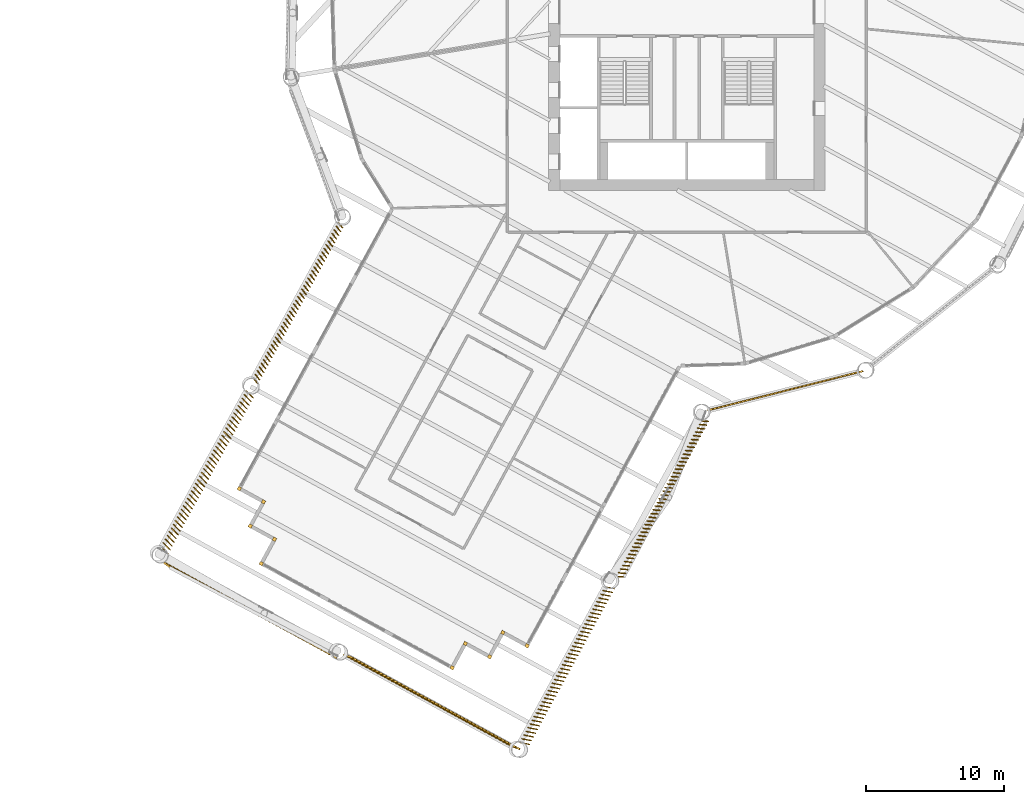
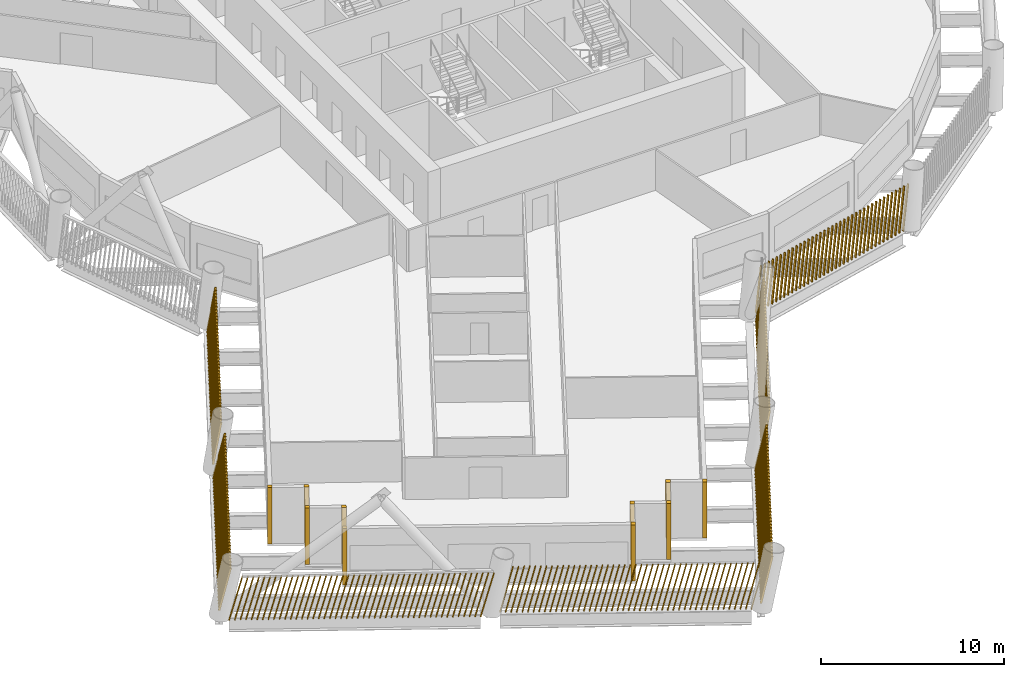
# One storey, part 19 of 24: 17 shading devices.
"""IFC4 building model written with IfcOpenShell, lengths in metres."""

from ifc_helpers import new_model, si_unit, direction, frame, frame_2d, origin, origin_2d, place, context, subcontext, project, spatial, rectangle, composite_profile, extrude, material, type_object, element, save


model = new_model("IFC4")

# Units and contexts
model_context = context("Model", 3, precision=1e-05, world=origin(), true_north=direction((0.0, 1.0)))
body_context = subcontext(model_context, "Body", "Model", "MODEL_VIEW")
ifc_project = project(units=[si_unit("LENGTHUNIT", "METRE"), si_unit("AREAUNIT", "SQUARE_METRE"), si_unit("VOLUMEUNIT", "CUBIC_METRE"), si_unit("PLANEANGLEUNIT", "RADIAN"), si_unit("MASSUNIT", "GRAM", prefix="KILO")], contexts=[model_context])

# Site, building, storey
site_placement = place(None, origin())
site = spatial("IfcSite", under=ifc_project, at=site_placement, CompositionType="ELEMENT")
building_placement = place(site_placement, origin())
building = spatial("IfcBuilding", under=site, at=building_placement, Name="Tarsis Ring Headquarters", CompositionType="ELEMENT")
storey_placement = place(building_placement, frame((0.0, 0.0, 92.800048828125)))
storey = spatial("IfcBuildingStorey", under=building, at=storey_placement, Name="L20", CompositionType="ELEMENT", Elevation=92.800048828125)

# Shading devices
ifc_material = material(Name="Terracotta baguette", Category="masonry")
shading_device_type_1 = type_object("IfcShadingDeviceType", Name="Terracotta baguette screen", PredefinedType="USERDEFINED", material=ifc_material)
shading_device_1_placement = place(storey_placement, frame((-25.209228515625, -15.282470703125, 0.0), z_axis=(0.0, 0.0, 1.0), x_axis=(-0.479308191572, -0.877646791682, 0.0)))
element("IfcShadingDevice", 1, at=shading_device_1_placement, inside=storey, type_object=shading_device_type_1, Name="Baguette screen L20-01", ObjectType="Terracotta baguette screen", PredefinedType="USERDEFINED", context=body_context, shape_type="SweptSolid", body=[
    extrude(composite_profile([rectangle(XDim=0.06005859375, YDim=0.1201171875, at=frame_2d((0.030029296875, 0.0))), rectangle(XDim=0.06005859375, YDim=0.1201171875, at=frame_2d((0.335693359375, 0.0))), rectangle(XDim=0.06005859375, YDim=0.1201171875, at=frame_2d((0.6416015625, 0.0))), rectangle(XDim=0.06005859375, YDim=0.1201171875, at=frame_2d((0.947265625, 0.0))), rectangle(XDim=0.06005859375, YDim=0.1201171875, at=frame_2d((1.253173828125, 0.0))), rectangle(XDim=0.06005859375, YDim=0.1201171875, at=frame_2d((1.558837890625, 0.0))), rectangle(XDim=0.06005859375, YDim=0.1201171875, at=frame_2d((1.864501953125, 0.0))), rectangle(XDim=0.06005859375, YDim=0.1201171875, at=frame_2d((2.17041015625, 0.0))), rectangle(XDim=0.06005859375, YDim=0.1201171875, at=frame_2d((2.47607421875, 0.0))), rectangle(XDim=0.06005859375, YDim=0.1201171875, at=frame_2d((2.781982421875, 0.0))), rectangle(XDim=0.06005859375, YDim=0.1201171875, at=frame_2d((3.087646484375, 0.0))), rectangle(XDim=0.06005859375, YDim=0.1201171875, at=frame_2d((3.393310546875, 0.0))), rectangle(XDim=0.06005859375, YDim=0.1201171875, at=frame_2d((3.69921875, 0.0))), rectangle(XDim=0.06005859375, YDim=0.1201171875, at=frame_2d((4.0048828125, 0.0))), rectangle(XDim=0.06005859375, YDim=0.1201171875, at=frame_2d((4.310791015625, 0.0))), rectangle(XDim=0.06005859375, YDim=0.1201171875, at=frame_2d((4.616455078125, 0.0))), rectangle(XDim=0.06005859375, YDim=0.1201171875, at=frame_2d((4.922119140625, 0.0))), rectangle(XDim=0.06005859375, YDim=0.1201171875, at=frame_2d((5.22802734375, 0.0))), rectangle(XDim=0.06005859375, YDim=0.1201171875, at=frame_2d((5.53369140625, 0.0))), rectangle(XDim=0.06005859375, YDim=0.1201171875, at=frame_2d((5.839599609375, 0.0))), rectangle(XDim=0.06005859375, YDim=0.1201171875, at=frame_2d((6.145263671875, 0.0))), rectangle(XDim=0.06005859375, YDim=0.1201171875, at=frame_2d((6.451171875, 0.0))), rectangle(XDim=0.06005859375, YDim=0.1201171875, at=frame_2d((6.7568359375, 0.0))), rectangle(XDim=0.06005859375, YDim=0.1201171875, at=frame_2d((7.0625, 0.0))), rectangle(XDim=0.06005859375, YDim=0.1201171875, at=frame_2d((7.368408203125, 0.0))), rectangle(XDim=0.06005859375, YDim=0.1201171875, at=frame_2d((7.674072265625, 0.0))), rectangle(XDim=0.06005859375, YDim=0.1201171875, at=frame_2d((7.97998046875, 0.0))), rectangle(XDim=0.06005859375, YDim=0.1201171875, at=frame_2d((8.28564453125, 0.0))), rectangle(XDim=0.06005859375, YDim=0.1201171875, at=frame_2d((8.59130859375, 0.0))), rectangle(XDim=0.06005859375, YDim=0.1201171875, at=frame_2d((8.897216796875, 0.0))), rectangle(XDim=0.06005859375, YDim=0.1201171875, at=frame_2d((9.202880859375, 0.0))), rectangle(XDim=0.06005859375, YDim=0.1201171875, at=frame_2d((9.5087890625, 0.0))), rectangle(XDim=0.06005859375, YDim=0.1201171875, at=frame_2d((9.814453125, 0.0))), rectangle(XDim=0.06005859375, YDim=0.1201171875, at=frame_2d((10.1201171875, 0.0))), rectangle(XDim=0.06005859375, YDim=0.1201171875, at=frame_2d((10.426025390625, 0.0))), rectangle(XDim=0.06005859375, YDim=0.1201171875, at=frame_2d((10.731689453125, 0.0))), rectangle(XDim=0.06005859375, YDim=0.1201171875, at=frame_2d((11.03759765625, 0.0))), rectangle(XDim=0.06005859375, YDim=0.1201171875, at=frame_2d((11.34326171875, 0.0))), rectangle(XDim=0.06005859375, YDim=0.1201171875, at=frame_2d((11.64892578125, 0.0))), rectangle(XDim=0.06005859375, YDim=0.1201171875, at=frame_2d((11.954833984375, 0.0))), rectangle(XDim=0.06005859375, YDim=0.1201171875, at=frame_2d((12.260498046875, 0.0))), rectangle(XDim=0.06005859375, YDim=0.1201171875, at=frame_2d((12.56640625, 0.0))), rectangle(XDim=0.06005859375, YDim=0.1201171875, at=frame_2d((12.8720703125, 0.0)))]), origin(), (0.066363469717, 0.145846002053, 0.987078939889), 2.9912109375),
])
shading_device_2_placement = place(storey_placement, frame((-31.872802734375, -27.483642578125, 0.0), z_axis=(0.0, 0.0, 1.0), x_axis=(-0.47929912201, -0.877649106873, 0.0)))
element("IfcShadingDevice", 2, at=shading_device_2_placement, inside=storey, type_object=shading_device_type_1, Name="Baguette screen L20-02", ObjectType="Terracotta baguette screen", PredefinedType="USERDEFINED", context=body_context, shape_type="SweptSolid", body=[
    extrude(composite_profile([rectangle(XDim=0.06005859375, YDim=0.1201171875, at=frame_2d((0.030029296875, 0.0))), rectangle(XDim=0.06005859375, YDim=0.1201171875, at=frame_2d((0.335693359375, 0.0))), rectangle(XDim=0.06005859375, YDim=0.1201171875, at=frame_2d((0.6416015625, 0.0))), rectangle(XDim=0.06005859375, YDim=0.1201171875, at=frame_2d((0.947265625, 0.0))), rectangle(XDim=0.06005859375, YDim=0.1201171875, at=frame_2d((1.253173828125, 0.0))), rectangle(XDim=0.06005859375, YDim=0.1201171875, at=frame_2d((1.558837890625, 0.0))), rectangle(XDim=0.06005859375, YDim=0.1201171875, at=frame_2d((1.864501953125, 0.0))), rectangle(XDim=0.06005859375, YDim=0.1201171875, at=frame_2d((2.17041015625, 0.0))), rectangle(XDim=0.06005859375, YDim=0.1201171875, at=frame_2d((2.47607421875, 0.0))), rectangle(XDim=0.06005859375, YDim=0.1201171875, at=frame_2d((2.781982421875, 0.0))), rectangle(XDim=0.06005859375, YDim=0.1201171875, at=frame_2d((3.087646484375, 0.0))), rectangle(XDim=0.06005859375, YDim=0.1201171875, at=frame_2d((3.393310546875, 0.0))), rectangle(XDim=0.06005859375, YDim=0.1201171875, at=frame_2d((3.69921875, 0.0))), rectangle(XDim=0.06005859375, YDim=0.1201171875, at=frame_2d((4.0048828125, 0.0))), rectangle(XDim=0.06005859375, YDim=0.1201171875, at=frame_2d((4.310791015625, 0.0))), rectangle(XDim=0.06005859375, YDim=0.1201171875, at=frame_2d((4.616455078125, 0.0))), rectangle(XDim=0.06005859375, YDim=0.1201171875, at=frame_2d((4.922119140625, 0.0))), rectangle(XDim=0.06005859375, YDim=0.1201171875, at=frame_2d((5.22802734375, 0.0))), rectangle(XDim=0.06005859375, YDim=0.1201171875, at=frame_2d((5.53369140625, 0.0))), rectangle(XDim=0.06005859375, YDim=0.1201171875, at=frame_2d((5.839599609375, 0.0))), rectangle(XDim=0.06005859375, YDim=0.1201171875, at=frame_2d((6.145263671875, 0.0))), rectangle(XDim=0.06005859375, YDim=0.1201171875, at=frame_2d((6.451171875, 0.0))), rectangle(XDim=0.06005859375, YDim=0.1201171875, at=frame_2d((6.7568359375, 0.0))), rectangle(XDim=0.06005859375, YDim=0.1201171875, at=frame_2d((7.0625, 0.0))), rectangle(XDim=0.06005859375, YDim=0.1201171875, at=frame_2d((7.368408203125, 0.0))), rectangle(XDim=0.06005859375, YDim=0.1201171875, at=frame_2d((7.674072265625, 0.0))), rectangle(XDim=0.06005859375, YDim=0.1201171875, at=frame_2d((7.97998046875, 0.0))), rectangle(XDim=0.06005859375, YDim=0.1201171875, at=frame_2d((8.28564453125, 0.0))), rectangle(XDim=0.06005859375, YDim=0.1201171875, at=frame_2d((8.59130859375, 0.0))), rectangle(XDim=0.06005859375, YDim=0.1201171875, at=frame_2d((8.897216796875, 0.0))), rectangle(XDim=0.06005859375, YDim=0.1201171875, at=frame_2d((9.202880859375, 0.0))), rectangle(XDim=0.06005859375, YDim=0.1201171875, at=frame_2d((9.5087890625, 0.0))), rectangle(XDim=0.06005859375, YDim=0.1201171875, at=frame_2d((9.814453125, 0.0))), rectangle(XDim=0.06005859375, YDim=0.1201171875, at=frame_2d((10.1201171875, 0.0))), rectangle(XDim=0.06005859375, YDim=0.1201171875, at=frame_2d((10.426025390625, 0.0))), rectangle(XDim=0.06005859375, YDim=0.1201171875, at=frame_2d((10.731689453125, 0.0))), rectangle(XDim=0.06005859375, YDim=0.1201171875, at=frame_2d((11.03759765625, 0.0))), rectangle(XDim=0.06005859375, YDim=0.1201171875, at=frame_2d((11.34326171875, 0.0))), rectangle(XDim=0.06005859375, YDim=0.1201171875, at=frame_2d((11.64892578125, 0.0))), rectangle(XDim=0.06005859375, YDim=0.1201171875, at=frame_2d((11.954833984375, 0.0))), rectangle(XDim=0.06005859375, YDim=0.1201171875, at=frame_2d((12.260498046875, 0.0))), rectangle(XDim=0.06005859375, YDim=0.1201171875, at=frame_2d((12.56640625, 0.0))), rectangle(XDim=0.06005859375, YDim=0.1201171875, at=frame_2d((12.8720703125, 0.0)))]), origin(), (0.065208237741, 0.206809612953, 0.976205751735), 3.024658203125),
])
shading_device_3_placement = place(storey_placement, frame((-38.037353515625, -39.81494140625, 0.0), z_axis=(0.0, 0.0, 1.0), x_axis=(0.877647058824, -0.479292348518, 0.0)))
element("IfcShadingDevice", 3, at=shading_device_3_placement, inside=storey, type_object=shading_device_type_1, Name="Baguette screen L20-03", ObjectType="Terracotta baguette screen", PredefinedType="USERDEFINED", context=body_context, shape_type="SweptSolid", body=[
    extrude(composite_profile([rectangle(XDim=0.06005859375, YDim=0.1201171875, at=frame_2d((0.030029296875, 0.0))), rectangle(XDim=0.06005859375, YDim=0.1201171875, at=frame_2d((0.33544921875, 0.0))), rectangle(XDim=0.06005859375, YDim=0.1201171875, at=frame_2d((0.640625, 0.0))), rectangle(XDim=0.06005859375, YDim=0.1201171875, at=frame_2d((0.946044921875, 0.0))), rectangle(XDim=0.06005859375, YDim=0.1201171875, at=frame_2d((1.25146484375, 0.0))), rectangle(XDim=0.06005859375, YDim=0.1201171875, at=frame_2d((1.556640625, 0.0))), rectangle(XDim=0.06005859375, YDim=0.1201171875, at=frame_2d((1.862060546875, 0.0))), rectangle(XDim=0.06005859375, YDim=0.1201171875, at=frame_2d((2.16748046875, 0.0))), rectangle(XDim=0.06005859375, YDim=0.1201171875, at=frame_2d((2.47265625, 0.0))), rectangle(XDim=0.06005859375, YDim=0.1201171875, at=frame_2d((2.778076171875, 0.0))), rectangle(XDim=0.06005859375, YDim=0.1201171875, at=frame_2d((3.08349609375, 0.0))), rectangle(XDim=0.06005859375, YDim=0.1201171875, at=frame_2d((3.388671875, 0.0))), rectangle(XDim=0.06005859375, YDim=0.1201171875, at=frame_2d((3.694091796875, 0.0))), rectangle(XDim=0.06005859375, YDim=0.1201171875, at=frame_2d((3.99951171875, 0.0))), rectangle(XDim=0.06005859375, YDim=0.1201171875, at=frame_2d((4.3046875, 0.0))), rectangle(XDim=0.06005859375, YDim=0.1201171875, at=frame_2d((4.610107421875, 0.0))), rectangle(XDim=0.06005859375, YDim=0.1201171875, at=frame_2d((4.91552734375, 0.0))), rectangle(XDim=0.06005859375, YDim=0.1201171875, at=frame_2d((5.220703125, 0.0))), rectangle(XDim=0.06005859375, YDim=0.1201171875, at=frame_2d((5.526123046875, 0.0))), rectangle(XDim=0.06005859375, YDim=0.1201171875, at=frame_2d((5.83154296875, 0.0))), rectangle(XDim=0.06005859375, YDim=0.1201171875, at=frame_2d((6.13671875, 0.0))), rectangle(XDim=0.06005859375, YDim=0.1201171875, at=frame_2d((6.442138671875, 0.0))), rectangle(XDim=0.06005859375, YDim=0.1201171875, at=frame_2d((6.74755859375, 0.0))), rectangle(XDim=0.06005859375, YDim=0.1201171875, at=frame_2d((7.052734375, 0.0))), rectangle(XDim=0.06005859375, YDim=0.1201171875, at=frame_2d((7.358154296875, 0.0))), rectangle(XDim=0.06005859375, YDim=0.1201171875, at=frame_2d((7.66357421875, 0.0))), rectangle(XDim=0.06005859375, YDim=0.1201171875, at=frame_2d((7.96875, 0.0))), rectangle(XDim=0.06005859375, YDim=0.1201171875, at=frame_2d((8.274169921875, 0.0))), rectangle(XDim=0.06005859375, YDim=0.1201171875, at=frame_2d((8.57958984375, 0.0))), rectangle(XDim=0.06005859375, YDim=0.1201171875, at=frame_2d((8.884765625, 0.0))), rectangle(XDim=0.06005859375, YDim=0.1201171875, at=frame_2d((9.190185546875, 0.0))), rectangle(XDim=0.06005859375, YDim=0.1201171875, at=frame_2d((9.49560546875, 0.0))), rectangle(XDim=0.06005859375, YDim=0.1201171875, at=frame_2d((9.80078125, 0.0))), rectangle(XDim=0.06005859375, YDim=0.1201171875, at=frame_2d((10.106201171875, 0.0))), rectangle(XDim=0.06005859375, YDim=0.1201171875, at=frame_2d((10.41162109375, 0.0))), rectangle(XDim=0.06005859375, YDim=0.1201171875, at=frame_2d((10.716796875, 0.0))), rectangle(XDim=0.06005859375, YDim=0.1201171875, at=frame_2d((11.022216796875, 0.0))), rectangle(XDim=0.06005859375, YDim=0.1201171875, at=frame_2d((11.32763671875, 0.0))), rectangle(XDim=0.06005859375, YDim=0.1201171875, at=frame_2d((11.6328125, 0.0))), rectangle(XDim=0.06005859375, YDim=0.1201171875, at=frame_2d((11.938232421875, 0.0))), rectangle(XDim=0.06005859375, YDim=0.1201171875, at=frame_2d((12.24365234375, 0.0))), rectangle(XDim=0.06005859375, YDim=0.1201171875, at=frame_2d((12.548828125, 0.0))), rectangle(XDim=0.06005859375, YDim=0.1201171875, at=frame_2d((12.854248046875, 0.0))), rectangle(XDim=0.06005859375, YDim=0.1201171875, at=frame_2d((13.15966796875, 0.0))), rectangle(XDim=0.06005859375, YDim=0.1201171875, at=frame_2d((13.46484375, 0.0))), rectangle(XDim=0.06005859375, YDim=0.1201171875, at=frame_2d((13.770263671875, 0.0)))]), origin(), (0.238204694282, -0.03150058275, 0.970703990364), 3.041748046875),
])
shading_device_4_placement = place(storey_placement, frame((-24.868408203125, -46.57958984375, 0.0), z_axis=(0.0, 0.0, 1.0), x_axis=(0.877647058824, -0.479292348518, 0.0)))
element("IfcShadingDevice", 4, at=shading_device_4_placement, inside=storey, type_object=shading_device_type_1, Name="Baguette screen L20-04", ObjectType="Terracotta baguette screen", PredefinedType="USERDEFINED", context=body_context, shape_type="SweptSolid", body=[
    extrude(composite_profile([rectangle(XDim=0.06005859375, YDim=0.1201171875, at=frame_2d((0.030029296875, 0.0))), rectangle(XDim=0.06005859375, YDim=0.1201171875, at=frame_2d((0.33544921875, 0.0))), rectangle(XDim=0.06005859375, YDim=0.1201171875, at=frame_2d((0.640625, 0.0))), rectangle(XDim=0.06005859375, YDim=0.1201171875, at=frame_2d((0.946044921875, 0.0))), rectangle(XDim=0.06005859375, YDim=0.1201171875, at=frame_2d((1.25146484375, 0.0))), rectangle(XDim=0.06005859375, YDim=0.1201171875, at=frame_2d((1.556640625, 0.0))), rectangle(XDim=0.06005859375, YDim=0.1201171875, at=frame_2d((1.862060546875, 0.0))), rectangle(XDim=0.06005859375, YDim=0.1201171875, at=frame_2d((2.16748046875, 0.0))), rectangle(XDim=0.06005859375, YDim=0.1201171875, at=frame_2d((2.47265625, 0.0))), rectangle(XDim=0.06005859375, YDim=0.1201171875, at=frame_2d((2.778076171875, 0.0))), rectangle(XDim=0.06005859375, YDim=0.1201171875, at=frame_2d((3.08349609375, 0.0))), rectangle(XDim=0.06005859375, YDim=0.1201171875, at=frame_2d((3.388671875, 0.0))), rectangle(XDim=0.06005859375, YDim=0.1201171875, at=frame_2d((3.694091796875, 0.0))), rectangle(XDim=0.06005859375, YDim=0.1201171875, at=frame_2d((3.99951171875, 0.0))), rectangle(XDim=0.06005859375, YDim=0.1201171875, at=frame_2d((4.3046875, 0.0))), rectangle(XDim=0.06005859375, YDim=0.1201171875, at=frame_2d((4.610107421875, 0.0))), rectangle(XDim=0.06005859375, YDim=0.1201171875, at=frame_2d((4.91552734375, 0.0))), rectangle(XDim=0.06005859375, YDim=0.1201171875, at=frame_2d((5.220703125, 0.0))), rectangle(XDim=0.06005859375, YDim=0.1201171875, at=frame_2d((5.526123046875, 0.0))), rectangle(XDim=0.06005859375, YDim=0.1201171875, at=frame_2d((5.83154296875, 0.0))), rectangle(XDim=0.06005859375, YDim=0.1201171875, at=frame_2d((6.13671875, 0.0))), rectangle(XDim=0.06005859375, YDim=0.1201171875, at=frame_2d((6.442138671875, 0.0))), rectangle(XDim=0.06005859375, YDim=0.1201171875, at=frame_2d((6.74755859375, 0.0))), rectangle(XDim=0.06005859375, YDim=0.1201171875, at=frame_2d((7.052734375, 0.0))), rectangle(XDim=0.06005859375, YDim=0.1201171875, at=frame_2d((7.358154296875, 0.0))), rectangle(XDim=0.06005859375, YDim=0.1201171875, at=frame_2d((7.66357421875, 0.0))), rectangle(XDim=0.06005859375, YDim=0.1201171875, at=frame_2d((7.96875, 0.0))), rectangle(XDim=0.06005859375, YDim=0.1201171875, at=frame_2d((8.274169921875, 0.0))), rectangle(XDim=0.06005859375, YDim=0.1201171875, at=frame_2d((8.57958984375, 0.0))), rectangle(XDim=0.06005859375, YDim=0.1201171875, at=frame_2d((8.884765625, 0.0))), rectangle(XDim=0.06005859375, YDim=0.1201171875, at=frame_2d((9.190185546875, 0.0))), rectangle(XDim=0.06005859375, YDim=0.1201171875, at=frame_2d((9.49560546875, 0.0))), rectangle(XDim=0.06005859375, YDim=0.1201171875, at=frame_2d((9.80078125, 0.0))), rectangle(XDim=0.06005859375, YDim=0.1201171875, at=frame_2d((10.106201171875, 0.0))), rectangle(XDim=0.06005859375, YDim=0.1201171875, at=frame_2d((10.41162109375, 0.0))), rectangle(XDim=0.06005859375, YDim=0.1201171875, at=frame_2d((10.716796875, 0.0))), rectangle(XDim=0.06005859375, YDim=0.1201171875, at=frame_2d((11.022216796875, 0.0))), rectangle(XDim=0.06005859375, YDim=0.1201171875, at=frame_2d((11.32763671875, 0.0))), rectangle(XDim=0.06005859375, YDim=0.1201171875, at=frame_2d((11.6328125, 0.0))), rectangle(XDim=0.06005859375, YDim=0.1201171875, at=frame_2d((11.938232421875, 0.0))), rectangle(XDim=0.06005859375, YDim=0.1201171875, at=frame_2d((12.24365234375, 0.0))), rectangle(XDim=0.06005859375, YDim=0.1201171875, at=frame_2d((12.548828125, 0.0))), rectangle(XDim=0.06005859375, YDim=0.1201171875, at=frame_2d((12.854248046875, 0.0))), rectangle(XDim=0.06005859375, YDim=0.1201171875, at=frame_2d((13.15966796875, 0.0))), rectangle(XDim=0.06005859375, YDim=0.1201171875, at=frame_2d((13.46484375, 0.0))), rectangle(XDim=0.06005859375, YDim=0.1201171875, at=frame_2d((13.770263671875, 0.0)))]), origin(), (0.236170295331, 0.034737648495, 0.971090566003), 3.04052734375),
])
shading_device_5_placement = place(storey_placement, frame((-12.078369140625, -52.99462890625, 0.0), z_axis=(0.0, 0.0, 1.0), x_axis=(0.479308191572, 0.877646791682, 0.0)))
element("IfcShadingDevice", 5, at=shading_device_5_placement, inside=storey, type_object=shading_device_type_1, Name="Baguette screen L20-05", ObjectType="Terracotta baguette screen", PredefinedType="USERDEFINED", context=body_context, shape_type="SweptSolid", body=[
    extrude(composite_profile([rectangle(XDim=0.06005859375, YDim=0.1201171875, at=frame_2d((0.030029296875, 0.0))), rectangle(XDim=0.06005859375, YDim=0.1201171875, at=frame_2d((0.335693359375, 0.0))), rectangle(XDim=0.06005859375, YDim=0.1201171875, at=frame_2d((0.6416015625, 0.0))), rectangle(XDim=0.06005859375, YDim=0.1201171875, at=frame_2d((0.947265625, 0.0))), rectangle(XDim=0.06005859375, YDim=0.1201171875, at=frame_2d((1.253173828125, 0.0))), rectangle(XDim=0.06005859375, YDim=0.1201171875, at=frame_2d((1.558837890625, 0.0))), rectangle(XDim=0.06005859375, YDim=0.1201171875, at=frame_2d((1.864501953125, 0.0))), rectangle(XDim=0.06005859375, YDim=0.1201171875, at=frame_2d((2.17041015625, 0.0))), rectangle(XDim=0.06005859375, YDim=0.1201171875, at=frame_2d((2.47607421875, 0.0))), rectangle(XDim=0.06005859375, YDim=0.1201171875, at=frame_2d((2.781982421875, 0.0))), rectangle(XDim=0.06005859375, YDim=0.1201171875, at=frame_2d((3.087646484375, 0.0))), rectangle(XDim=0.06005859375, YDim=0.1201171875, at=frame_2d((3.393310546875, 0.0))), rectangle(XDim=0.06005859375, YDim=0.1201171875, at=frame_2d((3.69921875, 0.0))), rectangle(XDim=0.06005859375, YDim=0.1201171875, at=frame_2d((4.0048828125, 0.0))), rectangle(XDim=0.06005859375, YDim=0.1201171875, at=frame_2d((4.310791015625, 0.0))), rectangle(XDim=0.06005859375, YDim=0.1201171875, at=frame_2d((4.616455078125, 0.0))), rectangle(XDim=0.06005859375, YDim=0.1201171875, at=frame_2d((4.922119140625, 0.0))), rectangle(XDim=0.06005859375, YDim=0.1201171875, at=frame_2d((5.22802734375, 0.0))), rectangle(XDim=0.06005859375, YDim=0.1201171875, at=frame_2d((5.53369140625, 0.0))), rectangle(XDim=0.06005859375, YDim=0.1201171875, at=frame_2d((5.839599609375, 0.0))), rectangle(XDim=0.06005859375, YDim=0.1201171875, at=frame_2d((6.145263671875, 0.0))), rectangle(XDim=0.06005859375, YDim=0.1201171875, at=frame_2d((6.451171875, 0.0))), rectangle(XDim=0.06005859375, YDim=0.1201171875, at=frame_2d((6.7568359375, 0.0))), rectangle(XDim=0.06005859375, YDim=0.1201171875, at=frame_2d((7.0625, 0.0))), rectangle(XDim=0.06005859375, YDim=0.1201171875, at=frame_2d((7.368408203125, 0.0))), rectangle(XDim=0.06005859375, YDim=0.1201171875, at=frame_2d((7.674072265625, 0.0))), rectangle(XDim=0.06005859375, YDim=0.1201171875, at=frame_2d((7.97998046875, 0.0))), rectangle(XDim=0.06005859375, YDim=0.1201171875, at=frame_2d((8.28564453125, 0.0))), rectangle(XDim=0.06005859375, YDim=0.1201171875, at=frame_2d((8.59130859375, 0.0))), rectangle(XDim=0.06005859375, YDim=0.1201171875, at=frame_2d((8.897216796875, 0.0))), rectangle(XDim=0.06005859375, YDim=0.1201171875, at=frame_2d((9.202880859375, 0.0))), rectangle(XDim=0.06005859375, YDim=0.1201171875, at=frame_2d((9.5087890625, 0.0))), rectangle(XDim=0.06005859375, YDim=0.1201171875, at=frame_2d((9.814453125, 0.0))), rectangle(XDim=0.06005859375, YDim=0.1201171875, at=frame_2d((10.1201171875, 0.0))), rectangle(XDim=0.06005859375, YDim=0.1201171875, at=frame_2d((10.426025390625, 0.0))), rectangle(XDim=0.06005859375, YDim=0.1201171875, at=frame_2d((10.731689453125, 0.0))), rectangle(XDim=0.06005859375, YDim=0.1201171875, at=frame_2d((11.03759765625, 0.0))), rectangle(XDim=0.06005859375, YDim=0.1201171875, at=frame_2d((11.34326171875, 0.0))), rectangle(XDim=0.06005859375, YDim=0.1201171875, at=frame_2d((11.64892578125, 0.0))), rectangle(XDim=0.06005859375, YDim=0.1201171875, at=frame_2d((11.954833984375, 0.0))), rectangle(XDim=0.06005859375, YDim=0.1201171875, at=frame_2d((12.260498046875, 0.0))), rectangle(XDim=0.06005859375, YDim=0.1201171875, at=frame_2d((12.56640625, 0.0))), rectangle(XDim=0.06005859375, YDim=0.1201171875, at=frame_2d((12.8720703125, 0.0)))]), origin(), (0.06801737115, -0.205903158635, 0.976205678372), 3.024658203125),
])
shading_device_6_placement = place(storey_placement, frame((-5.0859375, -40.97314453125, 0.0), z_axis=(0.0, 0.0, 1.0), x_axis=(0.479308191572, 0.877646791682, 0.0)))
element("IfcShadingDevice", 6, at=shading_device_6_placement, inside=storey, type_object=shading_device_type_1, Name="Baguette screen L20-06", ObjectType="Terracotta baguette screen", PredefinedType="USERDEFINED", context=body_context, shape_type="SweptSolid", body=[
    extrude(composite_profile([rectangle(XDim=0.06005859375, YDim=0.1201171875, at=frame_2d((0.030029296875, 0.0))), rectangle(XDim=0.06005859375, YDim=0.1201171875, at=frame_2d((0.335693359375, 0.0))), rectangle(XDim=0.06005859375, YDim=0.1201171875, at=frame_2d((0.6416015625, 0.0))), rectangle(XDim=0.06005859375, YDim=0.1201171875, at=frame_2d((0.947265625, 0.0))), rectangle(XDim=0.06005859375, YDim=0.1201171875, at=frame_2d((1.253173828125, 0.0))), rectangle(XDim=0.06005859375, YDim=0.1201171875, at=frame_2d((1.558837890625, 0.0))), rectangle(XDim=0.06005859375, YDim=0.1201171875, at=frame_2d((1.864501953125, 0.0))), rectangle(XDim=0.06005859375, YDim=0.1201171875, at=frame_2d((2.17041015625, 0.0))), rectangle(XDim=0.06005859375, YDim=0.1201171875, at=frame_2d((2.47607421875, 0.0))), rectangle(XDim=0.06005859375, YDim=0.1201171875, at=frame_2d((2.781982421875, 0.0))), rectangle(XDim=0.06005859375, YDim=0.1201171875, at=frame_2d((3.087646484375, 0.0))), rectangle(XDim=0.06005859375, YDim=0.1201171875, at=frame_2d((3.393310546875, 0.0))), rectangle(XDim=0.06005859375, YDim=0.1201171875, at=frame_2d((3.69921875, 0.0))), rectangle(XDim=0.06005859375, YDim=0.1201171875, at=frame_2d((4.0048828125, 0.0))), rectangle(XDim=0.06005859375, YDim=0.1201171875, at=frame_2d((4.310791015625, 0.0))), rectangle(XDim=0.06005859375, YDim=0.1201171875, at=frame_2d((4.616455078125, 0.0))), rectangle(XDim=0.06005859375, YDim=0.1201171875, at=frame_2d((4.922119140625, 0.0))), rectangle(XDim=0.06005859375, YDim=0.1201171875, at=frame_2d((5.22802734375, 0.0))), rectangle(XDim=0.06005859375, YDim=0.1201171875, at=frame_2d((5.53369140625, 0.0))), rectangle(XDim=0.06005859375, YDim=0.1201171875, at=frame_2d((5.839599609375, 0.0))), rectangle(XDim=0.06005859375, YDim=0.1201171875, at=frame_2d((6.145263671875, 0.0))), rectangle(XDim=0.06005859375, YDim=0.1201171875, at=frame_2d((6.451171875, 0.0))), rectangle(XDim=0.06005859375, YDim=0.1201171875, at=frame_2d((6.7568359375, 0.0))), rectangle(XDim=0.06005859375, YDim=0.1201171875, at=frame_2d((7.0625, 0.0))), rectangle(XDim=0.06005859375, YDim=0.1201171875, at=frame_2d((7.368408203125, 0.0))), rectangle(XDim=0.06005859375, YDim=0.1201171875, at=frame_2d((7.674072265625, 0.0))), rectangle(XDim=0.06005859375, YDim=0.1201171875, at=frame_2d((7.97998046875, 0.0))), rectangle(XDim=0.06005859375, YDim=0.1201171875, at=frame_2d((8.28564453125, 0.0))), rectangle(XDim=0.06005859375, YDim=0.1201171875, at=frame_2d((8.59130859375, 0.0))), rectangle(XDim=0.06005859375, YDim=0.1201171875, at=frame_2d((8.897216796875, 0.0))), rectangle(XDim=0.06005859375, YDim=0.1201171875, at=frame_2d((9.202880859375, 0.0))), rectangle(XDim=0.06005859375, YDim=0.1201171875, at=frame_2d((9.5087890625, 0.0))), rectangle(XDim=0.06005859375, YDim=0.1201171875, at=frame_2d((9.814453125, 0.0))), rectangle(XDim=0.06005859375, YDim=0.1201171875, at=frame_2d((10.1201171875, 0.0))), rectangle(XDim=0.06005859375, YDim=0.1201171875, at=frame_2d((10.426025390625, 0.0))), rectangle(XDim=0.06005859375, YDim=0.1201171875, at=frame_2d((10.731689453125, 0.0))), rectangle(XDim=0.06005859375, YDim=0.1201171875, at=frame_2d((11.03759765625, 0.0))), rectangle(XDim=0.06005859375, YDim=0.1201171875, at=frame_2d((11.34326171875, 0.0))), rectangle(XDim=0.06005859375, YDim=0.1201171875, at=frame_2d((11.64892578125, 0.0))), rectangle(XDim=0.06005859375, YDim=0.1201171875, at=frame_2d((11.954833984375, 0.0))), rectangle(XDim=0.06005859375, YDim=0.1201171875, at=frame_2d((12.260498046875, 0.0))), rectangle(XDim=0.06005859375, YDim=0.1201171875, at=frame_2d((12.56640625, 0.0))), rectangle(XDim=0.06005859375, YDim=0.1201171875, at=frame_2d((12.8720703125, 0.0)))]), origin(), (0.070042401446, -0.144899961024, 0.986964063832), 2.99169921875),
])
shading_device_7_placement = place(storey_placement, frame((1.49365234375, -28.90869140625, 0.0), z_axis=(0.0, 0.0, 1.0), x_axis=(0.969614758546, 0.244666304938, 0.0)))
element("IfcShadingDevice", 7, at=shading_device_7_placement, inside=storey, type_object=shading_device_type_1, Name="Baguette screen L20-07", ObjectType="Terracotta baguette screen", PredefinedType="USERDEFINED", context=body_context, shape_type="SweptSolid", body=[
    extrude(composite_profile([rectangle(XDim=0.06005859375, YDim=0.1201171875, at=frame_2d((0.030029296875, 0.0))), rectangle(XDim=0.06005859375, YDim=0.1201171875, at=frame_2d((0.33251953125, 0.0))), rectangle(XDim=0.06005859375, YDim=0.1201171875, at=frame_2d((0.634765625, 0.0))), rectangle(XDim=0.06005859375, YDim=0.1201171875, at=frame_2d((0.937255859375, 0.0))), rectangle(XDim=0.06005859375, YDim=0.1201171875, at=frame_2d((1.239501953125, 0.0))), rectangle(XDim=0.06005859375, YDim=0.1201171875, at=frame_2d((1.5419921875, 0.0))), rectangle(XDim=0.06005859375, YDim=0.1201171875, at=frame_2d((1.844482421875, 0.0))), rectangle(XDim=0.06005859375, YDim=0.1201171875, at=frame_2d((2.146728515625, 0.0))), rectangle(XDim=0.06005859375, YDim=0.1201171875, at=frame_2d((2.44921875, 0.0))), rectangle(XDim=0.06005859375, YDim=0.1201171875, at=frame_2d((2.751708984375, 0.0))), rectangle(XDim=0.06005859375, YDim=0.1201171875, at=frame_2d((3.053955078125, 0.0))), rectangle(XDim=0.06005859375, YDim=0.1201171875, at=frame_2d((3.3564453125, 0.0))), rectangle(XDim=0.06005859375, YDim=0.1201171875, at=frame_2d((3.65869140625, 0.0))), rectangle(XDim=0.06005859375, YDim=0.1201171875, at=frame_2d((3.961181640625, 0.0))), rectangle(XDim=0.06005859375, YDim=0.1201171875, at=frame_2d((4.263671875, 0.0))), rectangle(XDim=0.06005859375, YDim=0.1201171875, at=frame_2d((4.56591796875, 0.0))), rectangle(XDim=0.06005859375, YDim=0.1201171875, at=frame_2d((4.868408203125, 0.0))), rectangle(XDim=0.06005859375, YDim=0.1201171875, at=frame_2d((5.1708984375, 0.0))), rectangle(XDim=0.06005859375, YDim=0.1201171875, at=frame_2d((5.47314453125, 0.0))), rectangle(XDim=0.06005859375, YDim=0.1201171875, at=frame_2d((5.775634765625, 0.0))), rectangle(XDim=0.06005859375, YDim=0.1201171875, at=frame_2d((6.077880859375, 0.0))), rectangle(XDim=0.06005859375, YDim=0.1201171875, at=frame_2d((6.38037109375, 0.0))), rectangle(XDim=0.06005859375, YDim=0.1201171875, at=frame_2d((6.682861328125, 0.0))), rectangle(XDim=0.06005859375, YDim=0.1201171875, at=frame_2d((6.985107421875, 0.0))), rectangle(XDim=0.06005859375, YDim=0.1201171875, at=frame_2d((7.28759765625, 0.0))), rectangle(XDim=0.06005859375, YDim=0.1201171875, at=frame_2d((7.590087890625, 0.0))), rectangle(XDim=0.06005859375, YDim=0.1201171875, at=frame_2d((7.892333984375, 0.0))), rectangle(XDim=0.06005859375, YDim=0.1201171875, at=frame_2d((8.19482421875, 0.0))), rectangle(XDim=0.06005859375, YDim=0.1201171875, at=frame_2d((8.4970703125, 0.0))), rectangle(XDim=0.06005859375, YDim=0.1201171875, at=frame_2d((8.799560546875, 0.0))), rectangle(XDim=0.06005859375, YDim=0.1201171875, at=frame_2d((9.10205078125, 0.0))), rectangle(XDim=0.06005859375, YDim=0.1201171875, at=frame_2d((9.404296875, 0.0))), rectangle(XDim=0.06005859375, YDim=0.1201171875, at=frame_2d((9.706787109375, 0.0))), rectangle(XDim=0.06005859375, YDim=0.1201171875, at=frame_2d((10.00927734375, 0.0))), rectangle(XDim=0.06005859375, YDim=0.1201171875, at=frame_2d((10.3115234375, 0.0))), rectangle(XDim=0.06005859375, YDim=0.1201171875, at=frame_2d((10.614013671875, 0.0))), rectangle(XDim=0.06005859375, YDim=0.1201171875, at=frame_2d((10.916259765625, 0.0))), rectangle(XDim=0.06005859375, YDim=0.1201171875, at=frame_2d((11.21875, 0.0)))]), origin(), (0.129811034513, 0.00088220503, 0.991538358831), 2.977783203125),
])
shading_device_type_2 = type_object("IfcShadingDeviceType", Name="Terracotta corner baguette 250x250", PredefinedType="USERDEFINED", material=ifc_material)
for number, where, z_axis, x_axis, name in (
    (8, (-32.41015625, -34.5703125, 0.0), (0.0, 0.0, 1.0), (-0.479304673667, -0.877648579901, 0.0), "Corner baguette L20-07"),
    (9, (-30.65478515625, -35.529052734375, 0.0), (0.0, 0.0, 1.0), (0.877648747209, -0.479304367309, 0.0), "Corner baguette L20-08"),
    (10, (-31.613525390625, -37.2841796875, 0.0), (0.0, 0.0, 1.0), (-0.479304964706, -0.877648420957, 0.0), "Corner baguette L20-09"),
    (11, (-29.858154296875, -38.242919921875, 0.0), (0.0, 0.0, 1.0), (0.877648420957, -0.479304964706, 0.0), "Corner baguette L20-10"),
    (12, (-30.81689453125, -39.998291015625, 0.0), (0.0, 0.0, 1.0), (-0.479304566442, -0.877648638459, 0.0), "Corner baguette L20-11"),
    (13, (-16.993896484375, -47.54736328125, 0.0), (0.0, 0.0, 1.0), (0.877648571535, -0.479304688984, 0.0), "Corner baguette L20-12"),
    (14, (-16.03515625, -45.7919921875, 0.0), (0.0, 0.0, 1.0), (0.479304566442, 0.877648638459, 0.0), "Corner baguette L20-13"),
    (15, (-14.280029296875, -46.75048828125, 0.0), (0.0, 0.0, 1.0), (0.877648747209, -0.479304367309, 0.0), "Corner baguette L20-14"),
    (16, (-13.3212890625, -44.995361328125, 0.0), (0.0, 0.0, 1.0), (0.479304566442, 0.877648638459, 0.0), "Corner baguette L20-15"),
    (17, (-11.56591796875, -45.953857421875, 0.0), (0.0, 0.0, 1.0), (0.877648638459, -0.479304566442, 0.0), "Corner baguette L20-16"),
):
    element("IfcShadingDevice", number, at=place(storey_placement, frame(where, z_axis=z_axis, x_axis=x_axis)), inside=storey, type_object=shading_device_type_2, Name=name, ObjectType="Terracotta corner baguette", PredefinedType="USERDEFINED", context=body_context, shape_type="SweptSolid", body=[
        extrude(rectangle(XDim=0.25, YDim=0.25, at=origin_2d()), origin(), (0.0, 0.0, 1.0), 3.739990234375),
    ])

save(model, "model.ifc")
